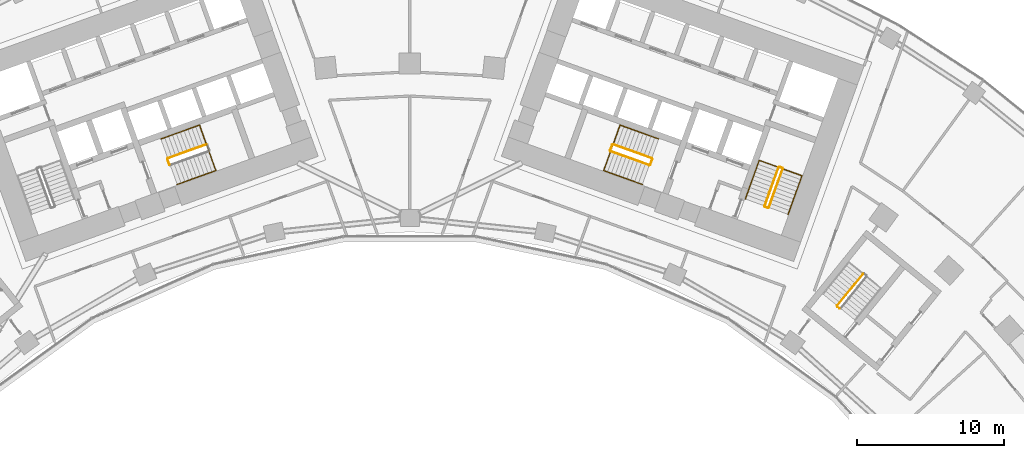
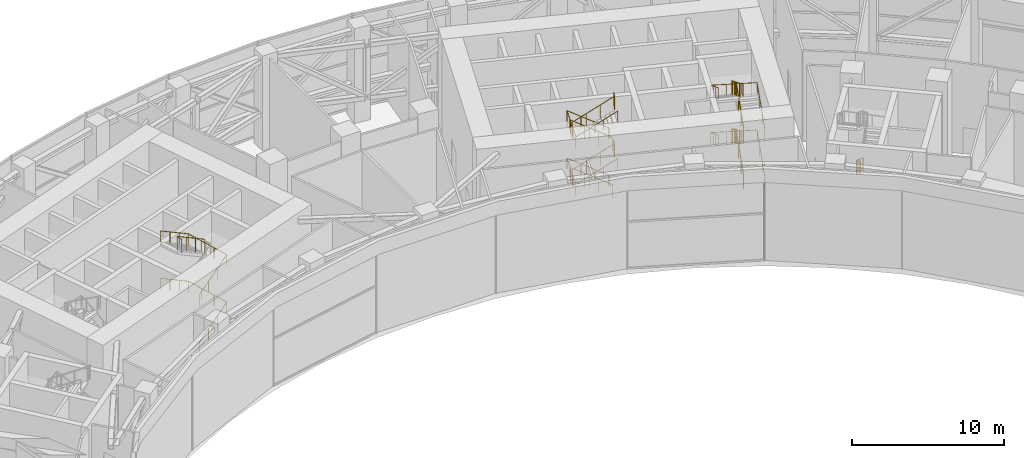
# One storey, part 29 of 30: 16 railings.
"""IFC4 building model written with IfcOpenShell, lengths in metres."""

from ifc_helpers import new_model, si_unit, direction, frame, origin, origin_2d, place, context, subcontext, project, spatial, circle, extrude, material, type_object, element, save


model = new_model("IFC4")

# Units and contexts
model_context = context("Model", 3, precision=1e-05, world=origin(), true_north=direction((0.0, 1.0)))
body_context = subcontext(model_context, "Body", "Model", "MODEL_VIEW")
ifc_project = project(units=[si_unit("LENGTHUNIT", "METRE"), si_unit("AREAUNIT", "SQUARE_METRE"), si_unit("VOLUMEUNIT", "CUBIC_METRE"), si_unit("PLANEANGLEUNIT", "RADIAN"), si_unit("MASSUNIT", "GRAM", prefix="KILO")], contexts=[model_context])

# Site, building, storey
site_placement = place(None, origin())
site = spatial("IfcSite", under=ifc_project, at=site_placement, CompositionType="ELEMENT")
building_placement = place(site_placement, origin())
building = spatial("IfcBuilding", under=site, at=building_placement, Name="Stone Belt Terrace Tower", CompositionType="ELEMENT")
storey_placement = place(building_placement, frame((0.0, 0.0, 136.39990234375)))
storey = spatial("IfcBuildingStorey", under=building, at=storey_placement, Name="L33", CompositionType="ELEMENT", Elevation=136.39990234375)

# Railings
ifc_material = material(Name="Structural steel C345", Category="steel")
railing_type_1 = type_object("IfcRailingType", Name="Stair guard 1100", PredefinedType="GUARDRAIL", material=ifc_material)
railing_1_placement = place(storey_placement, frame((-13.873046875, 49.47509765625, 5.872802734375)))
element("IfcRailing", 1, at=railing_1_placement, inside=storey, type_object=railing_type_1, Name="L33 ST2A stair guard 4", PredefinedType="GUARDRAIL", context=body_context, shape_type="SweptSolid", body=[
    extrude(circle(Radius=0.02392578125, at=origin_2d()), frame((0.0, 0.0, 1.076171875), z_axis=(-0.800808895155, -0.288160591223, 0.52504150989), x_axis=(0.338583606334, -0.940936311087, 0.0)), (0.0, 0.0, 1.0), 3.289794921875),
    extrude(circle(Radius=0.02392578125, at=origin_2d()), frame((-2.634521484375, -0.947998046875, 2.80322265625), z_axis=(-0.427789722475, -0.903878284585, 0.0), x_axis=(0.903878284585, -0.427789722475, 0.0)), (0.0, 0.0, 1.0), 0.07080078125),
    extrude(circle(Radius=0.02392578125, at=origin_2d()), frame((-2.664794921875, -1.011962890625, 2.80322265625), z_axis=(0.338654645739, -0.940910745459, 0.0), x_axis=(0.940910745459, 0.338654645739, 0.0)), (0.0, 0.0, 1.0), 0.400146484375),
    extrude(circle(Radius=0.02099609375, at=origin_2d()), origin(), (0.0, 0.0, 1.0), 1.052001953125),
    extrude(circle(Radius=0.02099609375, at=origin_2d()), frame((-0.878173828125, -0.31591796875, 0.57568359375)), (0.0, 0.0, 1.0), 1.052001953125),
    extrude(circle(Radius=0.02099609375, at=origin_2d()), frame((-1.75634765625, -0.632080078125, 1.151611328125)), (0.0, 0.0, 1.0), 1.052001953125),
    extrude(circle(Radius=0.02099609375, at=origin_2d()), frame((-2.634521484375, -0.947998046875, 1.727294921875)), (0.0, 0.0, 1.0), 1.052001953125),
    extrude(circle(Radius=0.02099609375, at=origin_2d()), frame((-2.664794921875, -1.011962890625, 1.727294921875)), (0.0, 0.0, 1.0), 1.052001953125),
    extrude(circle(Radius=0.02099609375, at=origin_2d()), frame((-2.529296875, -1.388427734375, 1.727294921875)), (0.0, 0.0, 1.0), 1.052001953125),
])
railing_2_placement = place(storey_placement, frame((24.494140625, 45.174560546875, 0.1728515625)))
element("IfcRailing", 2, at=railing_2_placement, inside=storey, type_object=railing_type_1, Name="L33 ST1B stair guard 1", PredefinedType="GUARDRAIL", context=body_context, shape_type="SweptSolid", body=[
    extrude(circle(Radius=0.02392578125, at=origin_2d()), frame((0.0, 0.0, 1.076171875), z_axis=(0.288228637646, 0.800791768495, 0.525030280985), x_axis=(-0.940908529223, 0.338660803216, 0.0)), (0.0, 0.0, 1.0), 3.289794921875),
    extrude(circle(Radius=0.02392578125, at=origin_2d()), frame((0.9482421875, 2.634521484375, 2.80322265625), z_axis=(-0.424964916, 0.905209821074, 0.0), x_axis=(-0.905209821074, -0.424964916, 0.0)), (0.0, 0.0, 1.0), 0.070556640625),
    extrude(circle(Radius=0.02392578125, at=origin_2d()), frame((0.918212890625, 2.698486328125, 2.80322265625), z_axis=(-0.941105063269, 0.338114270461, 0.0), x_axis=(-0.338114270461, -0.941105063269, 0.0)), (0.0, 0.0, 1.0), 0.199951171875),
    extrude(circle(Radius=0.02099609375, at=origin_2d()), origin(), (0.0, 0.0, 1.0), 1.052001953125),
    extrude(circle(Radius=0.02099609375, at=origin_2d()), frame((0.316162109375, 0.878173828125, 0.57568359375)), (0.0, 0.0, 1.0), 1.052001953125),
    extrude(circle(Radius=0.02099609375, at=origin_2d()), frame((0.632080078125, 1.75634765625, 1.151611328125)), (0.0, 0.0, 1.0), 1.052001953125),
    extrude(circle(Radius=0.02099609375, at=origin_2d()), frame((0.9482421875, 2.634521484375, 1.727294921875)), (0.0, 0.0, 1.0), 1.052001953125),
    extrude(circle(Radius=0.02099609375, at=origin_2d()), frame((0.918212890625, 2.698486328125, 1.727294921875)), (0.0, 0.0, 1.0), 1.052001953125),
    extrude(circle(Radius=0.02099609375, at=origin_2d()), frame((0.72998046875, 2.76611328125, 1.727294921875)), (0.0, 0.0, 1.0), 1.052001953125),
])
railing_3_placement = place(storey_placement, frame((25.16015625, 47.91064453125, 2.07275390625)))
element("IfcRailing", 3, at=railing_3_placement, inside=storey, type_object=railing_type_1, Name="L33 ST1B stair guard 2", PredefinedType="GUARDRAIL", context=body_context, shape_type="SweptSolid", body=[
    extrude(circle(Radius=0.02392578125, at=origin_2d()), frame((0.0, 0.0, 1.076171875), z_axis=(-0.288228637646, -0.800791768495, 0.525030280985), x_axis=(0.940908529223, -0.338660803216, 0.0)), (0.0, 0.0, 1.0), 3.289794921875),
    extrude(circle(Radius=0.02392578125, at=origin_2d()), frame((-0.9482421875, -2.634521484375, 2.80322265625), z_axis=(0.427789722475, -0.903878284585, 0.0), x_axis=(0.903878284585, 0.427789722475, 0.0)), (0.0, 0.0, 1.0), 0.07080078125),
    extrude(circle(Radius=0.02392578125, at=origin_2d()), frame((-0.91796875, -2.698486328125, 2.80322265625), z_axis=(0.940575576748, -0.339584429008, 0.0), x_axis=(0.339584429008, 0.940575576748, 0.0)), (0.0, 0.0, 1.0), 0.199951171875),
    extrude(circle(Radius=0.02099609375, at=origin_2d()), origin(), (0.0, 0.0, 1.0), 1.052001953125),
    extrude(circle(Radius=0.02099609375, at=origin_2d()), frame((-0.316162109375, -0.878173828125, 0.57568359375)), (0.0, 0.0, 1.0), 1.052001953125),
    extrude(circle(Radius=0.02099609375, at=origin_2d()), frame((-0.632080078125, -1.75634765625, 1.151611328125)), (0.0, 0.0, 1.0), 1.052001953125),
    extrude(circle(Radius=0.02099609375, at=origin_2d()), frame((-0.9482421875, -2.634521484375, 1.727294921875)), (0.0, 0.0, 1.0), 1.052001953125),
    extrude(circle(Radius=0.02099609375, at=origin_2d()), frame((-0.91796875, -2.698486328125, 1.727294921875)), (0.0, 0.0, 1.0), 1.052001953125),
    extrude(circle(Radius=0.02099609375, at=origin_2d()), frame((-0.72998046875, -2.766357421875, 1.727294921875)), (0.0, 0.0, 1.0), 1.052001953125),
])
railing_4_placement = place(storey_placement, frame((24.494140625, 45.174560546875, 3.972900390625)))
element("IfcRailing", 4, at=railing_4_placement, inside=storey, type_object=railing_type_1, Name="L33 ST1B stair guard 3", PredefinedType="GUARDRAIL", context=body_context, shape_type="SweptSolid", body=[
    extrude(circle(Radius=0.02392578125, at=origin_2d()), frame((0.0, 0.0, 1.076171875), z_axis=(0.288228637646, 0.800791768495, 0.525030280985), x_axis=(-0.940908529223, 0.338660803216, 0.0)), (0.0, 0.0, 1.0), 3.289794921875),
    extrude(circle(Radius=0.02392578125, at=origin_2d()), frame((0.9482421875, 2.634521484375, 2.80322265625), z_axis=(-0.424964916, 0.905209821074, 0.0), x_axis=(-0.905209821074, -0.424964916, 0.0)), (0.0, 0.0, 1.0), 0.070556640625),
    extrude(circle(Radius=0.02392578125, at=origin_2d()), frame((0.918212890625, 2.698486328125, 2.80322265625), z_axis=(-0.941105063269, 0.338114270461, 0.0), x_axis=(-0.338114270461, -0.941105063269, 0.0)), (0.0, 0.0, 1.0), 0.199951171875),
    extrude(circle(Radius=0.02099609375, at=origin_2d()), origin(), (0.0, 0.0, 1.0), 1.052001953125),
    extrude(circle(Radius=0.02099609375, at=origin_2d()), frame((0.316162109375, 0.878173828125, 0.57568359375)), (0.0, 0.0, 1.0), 1.052001953125),
    extrude(circle(Radius=0.02099609375, at=origin_2d()), frame((0.632080078125, 1.75634765625, 1.151611328125)), (0.0, 0.0, 1.0), 1.052001953125),
    extrude(circle(Radius=0.02099609375, at=origin_2d()), frame((0.9482421875, 2.634521484375, 1.727294921875)), (0.0, 0.0, 1.0), 1.052001953125),
    extrude(circle(Radius=0.02099609375, at=origin_2d()), frame((0.918212890625, 2.698486328125, 1.727294921875)), (0.0, 0.0, 1.0), 1.052001953125),
    extrude(circle(Radius=0.02099609375, at=origin_2d()), frame((0.72998046875, 2.76611328125, 1.727294921875)), (0.0, 0.0, 1.0), 1.052001953125),
])
railing_5_placement = place(storey_placement, frame((25.16015625, 47.91064453125, 5.872802734375)))
element("IfcRailing", 5, at=railing_5_placement, inside=storey, type_object=railing_type_1, Name="L33 ST1B stair guard 4", PredefinedType="GUARDRAIL", context=body_context, shape_type="SweptSolid", body=[
    extrude(circle(Radius=0.02392578125, at=origin_2d()), frame((0.0, 0.0, 1.076171875), z_axis=(-0.288228637646, -0.800791768495, 0.525030280985), x_axis=(0.940908529223, -0.338660803216, 0.0)), (0.0, 0.0, 1.0), 3.289794921875),
    extrude(circle(Radius=0.02392578125, at=origin_2d()), frame((-0.9482421875, -2.634521484375, 2.80322265625), z_axis=(0.427789722475, -0.903878284585, 0.0), x_axis=(0.903878284585, 0.427789722475, 0.0)), (0.0, 0.0, 1.0), 0.07080078125),
    extrude(circle(Radius=0.02392578125, at=origin_2d()), frame((-0.91796875, -2.698486328125, 2.80322265625), z_axis=(0.940575576748, -0.339584429008, 0.0), x_axis=(0.339584429008, 0.940575576748, 0.0)), (0.0, 0.0, 1.0), 0.199951171875),
    extrude(circle(Radius=0.02099609375, at=origin_2d()), origin(), (0.0, 0.0, 1.0), 1.052001953125),
    extrude(circle(Radius=0.02099609375, at=origin_2d()), frame((-0.316162109375, -0.878173828125, 0.57568359375)), (0.0, 0.0, 1.0), 1.052001953125),
    extrude(circle(Radius=0.02099609375, at=origin_2d()), frame((-0.632080078125, -1.75634765625, 1.151611328125)), (0.0, 0.0, 1.0), 1.052001953125),
    extrude(circle(Radius=0.02099609375, at=origin_2d()), frame((-0.9482421875, -2.634521484375, 1.727294921875)), (0.0, 0.0, 1.0), 1.052001953125),
    extrude(circle(Radius=0.02099609375, at=origin_2d()), frame((-0.91796875, -2.698486328125, 1.727294921875)), (0.0, 0.0, 1.0), 1.052001953125),
    extrude(circle(Radius=0.02099609375, at=origin_2d()), frame((-0.72998046875, -2.766357421875, 1.727294921875)), (0.0, 0.0, 1.0), 1.052001953125),
])
railing_6_placement = place(storey_placement, frame((16.507568359375, 48.527099609375, 0.1728515625)))
element("IfcRailing", 6, at=railing_6_placement, inside=storey, type_object=railing_type_1, Name="L33 ST2B stair guard 1", PredefinedType="GUARDRAIL", context=body_context, shape_type="SweptSolid", body=[
    extrude(circle(Radius=0.02392578125, at=origin_2d()), frame((0.0, 0.0, 1.076171875), z_axis=(-0.800808895155, 0.288160591223, 0.52504150989), x_axis=(-0.338583606334, -0.940936311087, 0.0)), (0.0, 0.0, 1.0), 3.289794921875),
    extrude(circle(Radius=0.02392578125, at=origin_2d()), frame((-2.634521484375, 0.947998046875, 2.80322265625), z_axis=(-0.905209821074, -0.424964916, 0.0), x_axis=(0.424964916, -0.905209821074, 0.0)), (0.0, 0.0, 1.0), 0.070556640625),
    extrude(circle(Radius=0.02392578125, at=origin_2d()), frame((-2.698486328125, 0.91796875, 2.80322265625), z_axis=(-0.338654645739, -0.940910745459, 0.0), x_axis=(0.940910745459, -0.338654645739, 0.0)), (0.0, 0.0, 1.0), 0.400146484375),
    extrude(circle(Radius=0.02099609375, at=origin_2d()), origin(), (0.0, 0.0, 1.0), 1.052001953125),
    extrude(circle(Radius=0.02099609375, at=origin_2d()), frame((-0.878173828125, 0.31591796875, 0.57568359375)), (0.0, 0.0, 1.0), 1.052001953125),
    extrude(circle(Radius=0.02099609375, at=origin_2d()), frame((-1.75634765625, 0.632080078125, 1.151611328125)), (0.0, 0.0, 1.0), 1.052001953125),
    extrude(circle(Radius=0.02099609375, at=origin_2d()), frame((-2.634521484375, 0.947998046875, 1.727294921875)), (0.0, 0.0, 1.0), 1.052001953125),
    extrude(circle(Radius=0.02099609375, at=origin_2d()), frame((-2.698486328125, 0.91796875, 1.727294921875)), (0.0, 0.0, 1.0), 1.052001953125),
    extrude(circle(Radius=0.02099609375, at=origin_2d()), frame((-2.833984375, 0.54150390625, 1.727294921875)), (0.0, 0.0, 1.0), 1.052001953125),
])
railing_7_placement = place(storey_placement, frame((13.703857421875, 49.004638671875, 2.07275390625)))
element("IfcRailing", 7, at=railing_7_placement, inside=storey, type_object=railing_type_1, Name="L33 ST2B stair guard 2", PredefinedType="GUARDRAIL", context=body_context, shape_type="SweptSolid", body=[
    extrude(circle(Radius=0.02392578125, at=origin_2d()), frame((0.0, 0.0, 1.076171875), z_axis=(0.800808895155, -0.288160591223, 0.52504150989), x_axis=(0.338583606334, 0.940936311087, 0.0)), (0.0, 0.0, 1.0), 3.289794921875),
    extrude(circle(Radius=0.02392578125, at=origin_2d()), frame((2.634521484375, -0.947998046875, 2.80322265625), z_axis=(0.905209821074, 0.424964916, 0.0), x_axis=(-0.424964916, 0.905209821074, 0.0)), (0.0, 0.0, 1.0), 0.070556640625),
    extrude(circle(Radius=0.02392578125, at=origin_2d()), frame((2.698486328125, -0.91796875, 2.80322265625), z_axis=(0.338654645739, 0.940910745459, 0.0), x_axis=(-0.940910745459, 0.338654645739, 0.0)), (0.0, 0.0, 1.0), 0.400146484375),
    extrude(circle(Radius=0.02099609375, at=origin_2d()), origin(), (0.0, 0.0, 1.0), 1.052001953125),
    extrude(circle(Radius=0.02099609375, at=origin_2d()), frame((0.878173828125, -0.31591796875, 0.57568359375)), (0.0, 0.0, 1.0), 1.052001953125),
    extrude(circle(Radius=0.02099609375, at=origin_2d()), frame((1.75634765625, -0.632080078125, 1.151611328125)), (0.0, 0.0, 1.0), 1.052001953125),
    extrude(circle(Radius=0.02099609375, at=origin_2d()), frame((2.634521484375, -0.947998046875, 1.727294921875)), (0.0, 0.0, 1.0), 1.052001953125),
    extrude(circle(Radius=0.02099609375, at=origin_2d()), frame((2.698486328125, -0.91796875, 1.727294921875)), (0.0, 0.0, 1.0), 1.052001953125),
    extrude(circle(Radius=0.02099609375, at=origin_2d()), frame((2.833984375, -0.54150390625, 1.727294921875)), (0.0, 0.0, 1.0), 1.052001953125),
])
railing_8_placement = place(storey_placement, frame((16.507568359375, 48.527099609375, 3.972900390625)))
element("IfcRailing", 8, at=railing_8_placement, inside=storey, type_object=railing_type_1, Name="L33 ST2B stair guard 3", PredefinedType="GUARDRAIL", context=body_context, shape_type="SweptSolid", body=[
    extrude(circle(Radius=0.02392578125, at=origin_2d()), frame((0.0, 0.0, 1.076171875), z_axis=(-0.800808895155, 0.288160591223, 0.52504150989), x_axis=(-0.338583606334, -0.940936311087, 0.0)), (0.0, 0.0, 1.0), 3.289794921875),
    extrude(circle(Radius=0.02392578125, at=origin_2d()), frame((-2.634521484375, 0.947998046875, 2.80322265625), z_axis=(-0.905209821074, -0.424964916, 0.0), x_axis=(0.424964916, -0.905209821074, 0.0)), (0.0, 0.0, 1.0), 0.070556640625),
    extrude(circle(Radius=0.02392578125, at=origin_2d()), frame((-2.698486328125, 0.91796875, 2.80322265625), z_axis=(-0.338654645739, -0.940910745459, 0.0), x_axis=(0.940910745459, -0.338654645739, 0.0)), (0.0, 0.0, 1.0), 0.400146484375),
    extrude(circle(Radius=0.02099609375, at=origin_2d()), origin(), (0.0, 0.0, 1.0), 1.052001953125),
    extrude(circle(Radius=0.02099609375, at=origin_2d()), frame((-0.878173828125, 0.31591796875, 0.57568359375)), (0.0, 0.0, 1.0), 1.052001953125),
    extrude(circle(Radius=0.02099609375, at=origin_2d()), frame((-1.75634765625, 0.632080078125, 1.151611328125)), (0.0, 0.0, 1.0), 1.052001953125),
    extrude(circle(Radius=0.02099609375, at=origin_2d()), frame((-2.634521484375, 0.947998046875, 1.727294921875)), (0.0, 0.0, 1.0), 1.052001953125),
    extrude(circle(Radius=0.02099609375, at=origin_2d()), frame((-2.698486328125, 0.91796875, 1.727294921875)), (0.0, 0.0, 1.0), 1.052001953125),
    extrude(circle(Radius=0.02099609375, at=origin_2d()), frame((-2.833984375, 0.54150390625, 1.727294921875)), (0.0, 0.0, 1.0), 1.052001953125),
])
railing_9_placement = place(storey_placement, frame((13.703857421875, 49.004638671875, 5.872802734375)))
element("IfcRailing", 9, at=railing_9_placement, inside=storey, type_object=railing_type_1, Name="L33 ST2B stair guard 4", PredefinedType="GUARDRAIL", context=body_context, shape_type="SweptSolid", body=[
    extrude(circle(Radius=0.02392578125, at=origin_2d()), frame((0.0, 0.0, 1.076171875), z_axis=(0.800808895155, -0.288160591223, 0.52504150989), x_axis=(0.338583606334, 0.940936311087, 0.0)), (0.0, 0.0, 1.0), 3.289794921875),
    extrude(circle(Radius=0.02392578125, at=origin_2d()), frame((2.634521484375, -0.947998046875, 2.80322265625), z_axis=(0.905209821074, 0.424964916, 0.0), x_axis=(-0.424964916, 0.905209821074, 0.0)), (0.0, 0.0, 1.0), 0.070556640625),
    extrude(circle(Radius=0.02392578125, at=origin_2d()), frame((2.698486328125, -0.91796875, 2.80322265625), z_axis=(0.338654645739, 0.940910745459, 0.0), x_axis=(-0.940910745459, 0.338654645739, 0.0)), (0.0, 0.0, 1.0), 0.400146484375),
    extrude(circle(Radius=0.02099609375, at=origin_2d()), origin(), (0.0, 0.0, 1.0), 1.052001953125),
    extrude(circle(Radius=0.02099609375, at=origin_2d()), frame((0.878173828125, -0.31591796875, 0.57568359375)), (0.0, 0.0, 1.0), 1.052001953125),
    extrude(circle(Radius=0.02099609375, at=origin_2d()), frame((1.75634765625, -0.632080078125, 1.151611328125)), (0.0, 0.0, 1.0), 1.052001953125),
    extrude(circle(Radius=0.02099609375, at=origin_2d()), frame((2.634521484375, -0.947998046875, 1.727294921875)), (0.0, 0.0, 1.0), 1.052001953125),
    extrude(circle(Radius=0.02099609375, at=origin_2d()), frame((2.698486328125, -0.91796875, 1.727294921875)), (0.0, 0.0, 1.0), 1.052001953125),
    extrude(circle(Radius=0.02099609375, at=origin_2d()), frame((2.833984375, -0.54150390625, 1.727294921875)), (0.0, 0.0, 1.0), 1.052001953125),
])
railing_10_placement = place(storey_placement, frame((30.9296875, 40.64501953125, 2.07275390625)))
element("IfcRailing", 10, at=railing_10_placement, inside=storey, type_object=railing_type_1, Name="L33 ST3B stair guard 2", PredefinedType="GUARDRAIL", context=body_context, shape_type="SweptSolid", body=[
    extrude(circle(Radius=0.02392578125, at=origin_2d()), frame((0.0, 0.0, 1.076171875), z_axis=(-0.536366759382, -0.660811565066, 0.525013118792), x_axis=(0.776425942316, -0.630208502084, 0.0)), (0.0, 0.0, 1.0), 3.2900390625),
    extrude(circle(Radius=0.02392578125, at=origin_2d()), frame((-1.7646484375, -2.174072265625, 2.80322265625), z_axis=(0.103606084259, -0.994618408891, 0.0), x_axis=(0.994618408891, 0.103606084259, 0.0)), (0.0, 0.0, 1.0), 0.07080078125),
    extrude(circle(Radius=0.02392578125, at=origin_2d()), frame((-1.75732421875, -2.244384765625, 2.80322265625), z_axis=(0.776561986372, -0.630040856868, 0.0), x_axis=(0.630040856868, 0.776561986372, 0.0)), (0.0, 0.0, 1.0), 0.199951171875),
    extrude(circle(Radius=0.02099609375, at=origin_2d()), origin(), (0.0, 0.0, 1.0), 1.052001953125),
    extrude(circle(Radius=0.02099609375, at=origin_2d()), frame((-0.588134765625, -0.724609375, 0.57568359375)), (0.0, 0.0, 1.0), 1.052001953125),
    extrude(circle(Radius=0.02099609375, at=origin_2d()), frame((-1.176513671875, -1.449462890625, 1.151611328125)), (0.0, 0.0, 1.0), 1.052001953125),
    extrude(circle(Radius=0.02099609375, at=origin_2d()), frame((-1.7646484375, -2.174072265625, 1.727294921875)), (0.0, 0.0, 1.0), 1.052001953125),
    extrude(circle(Radius=0.02099609375, at=origin_2d()), frame((-1.75732421875, -2.244384765625, 1.727294921875)), (0.0, 0.0, 1.0), 1.052001953125),
    extrude(circle(Radius=0.02099609375, at=origin_2d()), frame((-1.60205078125, -2.370361328125, 1.727294921875)), (0.0, 0.0, 1.0), 1.052001953125),
])
railing_type_2 = type_object("IfcRailingType", Name="Stair handrail 900", PredefinedType="HANDRAIL", material=ifc_material)
railing_11_placement = place(storey_placement, frame((-15.8642578125, 46.7392578125, 0.1728515625)))
element("IfcRailing", 11, at=railing_11_placement, inside=storey, type_object=railing_type_2, Name="L33 ST2A stair handrail 1", PredefinedType="HANDRAIL", context=body_context, shape_type="SweptSolid", body=[
    extrude(circle(Radius=0.02392578125, at=origin_2d()), frame((0.0, 0.0, 0.8759765625), z_axis=(0.800791768495, 0.288228637646, 0.525030280985), x_axis=(-0.338660803216, 0.940908529223, 0.0)), (0.0, 0.0, 1.0), 3.289794921875),
    extrude(circle(Radius=0.02392578125, at=origin_2d()), frame((2.634521484375, 0.9482421875, 2.60302734375), z_axis=(-0.338160254016, 0.939637778147, 0.052234935458), x_axis=(-0.940922302781, -0.338622533404, 0.0)), (0.0, 0.0, 1.0), 3.304443359375),
    extrude(circle(Radius=0.02392578125, at=origin_2d()), frame((1.51708984375, 4.05322265625, 2.77587890625), z_axis=(-0.800791768495, -0.288228637646, 0.525030280985), x_axis=(0.338660803216, -0.940908529223, 0.0)), (0.0, 0.0, 1.0), 3.289794921875),
    extrude(circle(Radius=0.02099609375, at=origin_2d()), origin(), (0.0, 0.0, 1.0), 0.851806640625),
    extrude(circle(Radius=0.02099609375, at=origin_2d()), frame((0.878173828125, 0.316162109375, 0.57568359375)), (0.0, 0.0, 1.0), 0.851806640625),
    extrude(circle(Radius=0.02099609375, at=origin_2d()), frame((1.75634765625, 0.632080078125, 1.151611328125)), (0.0, 0.0, 1.0), 0.851806640625),
    extrude(circle(Radius=0.02099609375, at=origin_2d()), frame((2.634521484375, 0.9482421875, 1.727294921875)), (0.0, 0.0, 1.0), 0.851806640625),
    extrude(circle(Radius=0.02099609375, at=origin_2d()), frame((2.261962890625, 1.983154296875, 1.784912109375)), (0.0, 0.0, 1.0), 0.851806640625),
    extrude(circle(Radius=0.02099609375, at=origin_2d()), frame((1.8896484375, 3.018310546875, 1.84228515625)), (0.0, 0.0, 1.0), 0.851806640625),
    extrude(circle(Radius=0.02099609375, at=origin_2d()), frame((1.51708984375, 4.05322265625, 1.89990234375)), (0.0, 0.0, 1.0), 0.851806640625),
    extrude(circle(Radius=0.02099609375, at=origin_2d()), frame((0.638916015625, 3.737060546875, 2.4755859375)), (0.0, 0.0, 1.0), 0.851806640625),
    extrude(circle(Radius=0.02099609375, at=origin_2d()), frame((-0.2392578125, 3.421142578125, 3.051513671875)), (0.0, 0.0, 1.0), 0.851806640625),
    extrude(circle(Radius=0.02099609375, at=origin_2d()), frame((-1.117431640625, 3.10498046875, 3.627197265625)), (0.0, 0.0, 1.0), 0.851806640625),
])
railing_12_placement = place(storey_placement, frame((-15.8642578125, 46.7392578125, 3.972900390625)))
element("IfcRailing", 12, at=railing_12_placement, inside=storey, type_object=railing_type_2, Name="L33 ST2A stair handrail 2", PredefinedType="HANDRAIL", context=body_context, shape_type="SweptSolid", body=[
    extrude(circle(Radius=0.02392578125, at=origin_2d()), frame((0.0, 0.0, 0.8759765625), z_axis=(0.800791768495, 0.288228637646, 0.525030280985), x_axis=(-0.338660803216, 0.940908529223, 0.0)), (0.0, 0.0, 1.0), 3.289794921875),
    extrude(circle(Radius=0.02392578125, at=origin_2d()), frame((2.634521484375, 0.9482421875, 2.60302734375), z_axis=(-0.338160254016, 0.939637778147, 0.052234935458), x_axis=(-0.940922302781, -0.338622533404, 0.0)), (0.0, 0.0, 1.0), 3.304443359375),
    extrude(circle(Radius=0.02392578125, at=origin_2d()), frame((1.51708984375, 4.05322265625, 2.77587890625), z_axis=(-0.800791768495, -0.288228637646, 0.525030280985), x_axis=(0.338660803216, -0.940908529223, 0.0)), (0.0, 0.0, 1.0), 3.289794921875),
    extrude(circle(Radius=0.02099609375, at=origin_2d()), origin(), (0.0, 0.0, 1.0), 0.851806640625),
    extrude(circle(Radius=0.02099609375, at=origin_2d()), frame((0.878173828125, 0.316162109375, 0.57568359375)), (0.0, 0.0, 1.0), 0.851806640625),
    extrude(circle(Radius=0.02099609375, at=origin_2d()), frame((1.75634765625, 0.632080078125, 1.151611328125)), (0.0, 0.0, 1.0), 0.851806640625),
    extrude(circle(Radius=0.02099609375, at=origin_2d()), frame((2.634521484375, 0.9482421875, 1.727294921875)), (0.0, 0.0, 1.0), 0.851806640625),
    extrude(circle(Radius=0.02099609375, at=origin_2d()), frame((2.261962890625, 1.983154296875, 1.784912109375)), (0.0, 0.0, 1.0), 0.851806640625),
    extrude(circle(Radius=0.02099609375, at=origin_2d()), frame((1.8896484375, 3.018310546875, 1.84228515625)), (0.0, 0.0, 1.0), 0.851806640625),
    extrude(circle(Radius=0.02099609375, at=origin_2d()), frame((1.51708984375, 4.05322265625, 1.89990234375)), (0.0, 0.0, 1.0), 0.851806640625),
    extrude(circle(Radius=0.02099609375, at=origin_2d()), frame((0.638916015625, 3.737060546875, 2.4755859375)), (0.0, 0.0, 1.0), 0.851806640625),
    extrude(circle(Radius=0.02099609375, at=origin_2d()), frame((-0.2392578125, 3.421142578125, 3.051513671875)), (0.0, 0.0, 1.0), 0.851806640625),
    extrude(circle(Radius=0.02099609375, at=origin_2d()), frame((-1.117431640625, 3.10498046875, 3.627197265625)), (0.0, 0.0, 1.0), 0.851806640625),
])
railing_13_placement = place(storey_placement, frame((25.8115234375, 44.700439453125, 0.1728515625)))
element("IfcRailing", 13, at=railing_13_placement, inside=storey, type_object=railing_type_2, Name="L33 ST1B stair handrail 1", PredefinedType="HANDRAIL", context=body_context, shape_type="SweptSolid", body=[
    extrude(circle(Radius=0.02392578125, at=origin_2d()), frame((0.0, 0.0, 0.8759765625), z_axis=(0.288228637646, 0.800791768495, 0.525030280985), x_axis=(-0.940908529223, 0.338660803216, 0.0)), (0.0, 0.0, 1.0), 3.289794921875),
    extrude(circle(Radius=0.02392578125, at=origin_2d()), frame((0.9482421875, 2.634521484375, 2.60302734375), z_axis=(-0.939464517435, 0.338106580597, 0.055591012205), x_axis=(-0.338630230244, -0.940919532779, 0.0)), (0.0, 0.0, 1.0), 3.10498046875),
    extrude(circle(Radius=0.02392578125, at=origin_2d()), frame((-1.96875, 3.684326171875, 2.77587890625), z_axis=(-0.288160591223, -0.800808895155, 0.52504150989), x_axis=(0.940936311087, -0.338583606334, 0.0)), (0.0, 0.0, 1.0), 3.289794921875),
    extrude(circle(Radius=0.02099609375, at=origin_2d()), origin(), (0.0, 0.0, 1.0), 0.851806640625),
    extrude(circle(Radius=0.02099609375, at=origin_2d()), frame((0.316162109375, 0.878173828125, 0.57568359375)), (0.0, 0.0, 1.0), 0.851806640625),
    extrude(circle(Radius=0.02099609375, at=origin_2d()), frame((0.632080078125, 1.75634765625, 1.151611328125)), (0.0, 0.0, 1.0), 0.851806640625),
    extrude(circle(Radius=0.02099609375, at=origin_2d()), frame((0.9482421875, 2.634521484375, 1.727294921875)), (0.0, 0.0, 1.0), 0.851806640625),
    extrude(circle(Radius=0.02099609375, at=origin_2d()), frame((-0.024169921875, 2.984375, 1.784912109375)), (0.0, 0.0, 1.0), 0.851806640625),
    extrude(circle(Radius=0.02099609375, at=origin_2d()), frame((-0.996337890625, 3.33447265625, 1.84228515625)), (0.0, 0.0, 1.0), 0.851806640625),
    extrude(circle(Radius=0.02099609375, at=origin_2d()), frame((-1.96875, 3.684326171875, 1.89990234375)), (0.0, 0.0, 1.0), 0.851806640625),
    extrude(circle(Radius=0.02099609375, at=origin_2d()), frame((-2.28466796875, 2.80615234375, 2.4755859375)), (0.0, 0.0, 1.0), 0.851806640625),
    extrude(circle(Radius=0.02099609375, at=origin_2d()), frame((-2.600830078125, 1.927978515625, 3.051513671875)), (0.0, 0.0, 1.0), 0.851806640625),
    extrude(circle(Radius=0.02099609375, at=origin_2d()), frame((-2.916748046875, 1.0498046875, 3.627197265625)), (0.0, 0.0, 1.0), 0.851806640625),
])
railing_14_placement = place(storey_placement, frame((25.8115234375, 44.700439453125, 3.972900390625)))
element("IfcRailing", 14, at=railing_14_placement, inside=storey, type_object=railing_type_2, Name="L33 ST1B stair handrail 2", PredefinedType="HANDRAIL", context=body_context, shape_type="SweptSolid", body=[
    extrude(circle(Radius=0.02392578125, at=origin_2d()), frame((0.0, 0.0, 0.8759765625), z_axis=(0.288228637646, 0.800791768495, 0.525030280985), x_axis=(-0.940908529223, 0.338660803216, 0.0)), (0.0, 0.0, 1.0), 3.289794921875),
    extrude(circle(Radius=0.02392578125, at=origin_2d()), frame((0.9482421875, 2.634521484375, 2.60302734375), z_axis=(-0.939464517435, 0.338106580597, 0.055591012205), x_axis=(-0.338630230244, -0.940919532779, 0.0)), (0.0, 0.0, 1.0), 3.10498046875),
    extrude(circle(Radius=0.02392578125, at=origin_2d()), frame((-1.96875, 3.684326171875, 2.77587890625), z_axis=(-0.288160591223, -0.800808895155, 0.52504150989), x_axis=(0.940936311087, -0.338583606334, 0.0)), (0.0, 0.0, 1.0), 3.289794921875),
    extrude(circle(Radius=0.02099609375, at=origin_2d()), origin(), (0.0, 0.0, 1.0), 0.851806640625),
    extrude(circle(Radius=0.02099609375, at=origin_2d()), frame((0.316162109375, 0.878173828125, 0.57568359375)), (0.0, 0.0, 1.0), 0.851806640625),
    extrude(circle(Radius=0.02099609375, at=origin_2d()), frame((0.632080078125, 1.75634765625, 1.151611328125)), (0.0, 0.0, 1.0), 0.851806640625),
    extrude(circle(Radius=0.02099609375, at=origin_2d()), frame((0.9482421875, 2.634521484375, 1.727294921875)), (0.0, 0.0, 1.0), 0.851806640625),
    extrude(circle(Radius=0.02099609375, at=origin_2d()), frame((-0.024169921875, 2.984375, 1.784912109375)), (0.0, 0.0, 1.0), 0.851806640625),
    extrude(circle(Radius=0.02099609375, at=origin_2d()), frame((-0.996337890625, 3.33447265625, 1.84228515625)), (0.0, 0.0, 1.0), 0.851806640625),
    extrude(circle(Radius=0.02099609375, at=origin_2d()), frame((-1.96875, 3.684326171875, 1.89990234375)), (0.0, 0.0, 1.0), 0.851806640625),
    extrude(circle(Radius=0.02099609375, at=origin_2d()), frame((-2.28466796875, 2.80615234375, 2.4755859375)), (0.0, 0.0, 1.0), 0.851806640625),
    extrude(circle(Radius=0.02099609375, at=origin_2d()), frame((-2.600830078125, 1.927978515625, 3.051513671875)), (0.0, 0.0, 1.0), 0.851806640625),
    extrude(circle(Radius=0.02099609375, at=origin_2d()), frame((-2.916748046875, 1.0498046875, 3.627197265625)), (0.0, 0.0, 1.0), 0.851806640625),
])
railing_15_placement = place(storey_placement, frame((16.981689453125, 49.84423828125, 0.1728515625)))
element("IfcRailing", 15, at=railing_15_placement, inside=storey, type_object=railing_type_2, Name="L33 ST2B stair handrail 1", PredefinedType="HANDRAIL", context=body_context, shape_type="SweptSolid", body=[
    extrude(circle(Radius=0.02392578125, at=origin_2d()), frame((0.0, 0.0, 0.8759765625), z_axis=(-0.800791768495, 0.288228637646, 0.525030280985), x_axis=(-0.338660803216, -0.940908529223, 0.0)), (0.0, 0.0, 1.0), 3.289794921875),
    extrude(circle(Radius=0.02392578125, at=origin_2d()), frame((-2.634521484375, 0.9482421875, 2.60302734375), z_axis=(-0.338160254016, -0.939637778147, 0.052234935458), x_axis=(0.940922302781, -0.338622533404, 0.0)), (0.0, 0.0, 1.0), 3.304443359375),
    extrude(circle(Radius=0.02392578125, at=origin_2d()), frame((-3.751953125, -2.15673828125, 2.77587890625), z_axis=(0.800791768495, -0.288228637646, 0.525030280985), x_axis=(0.338660803216, 0.940908529223, 0.0)), (0.0, 0.0, 1.0), 3.289794921875),
    extrude(circle(Radius=0.02099609375, at=origin_2d()), origin(), (0.0, 0.0, 1.0), 0.851806640625),
    extrude(circle(Radius=0.02099609375, at=origin_2d()), frame((-0.878173828125, 0.316162109375, 0.57568359375)), (0.0, 0.0, 1.0), 0.851806640625),
    extrude(circle(Radius=0.02099609375, at=origin_2d()), frame((-1.75634765625, 0.632080078125, 1.151611328125)), (0.0, 0.0, 1.0), 0.851806640625),
    extrude(circle(Radius=0.02099609375, at=origin_2d()), frame((-2.634521484375, 0.9482421875, 1.727294921875)), (0.0, 0.0, 1.0), 0.851806640625),
    extrude(circle(Radius=0.02099609375, at=origin_2d()), frame((-3.007080078125, -0.086669921875, 1.784912109375)), (0.0, 0.0, 1.0), 0.851806640625),
    extrude(circle(Radius=0.02099609375, at=origin_2d()), frame((-3.37939453125, -1.121826171875, 1.84228515625)), (0.0, 0.0, 1.0), 0.851806640625),
    extrude(circle(Radius=0.02099609375, at=origin_2d()), frame((-3.751953125, -2.15673828125, 1.89990234375)), (0.0, 0.0, 1.0), 0.851806640625),
    extrude(circle(Radius=0.02099609375, at=origin_2d()), frame((-2.873779296875, -2.472900390625, 2.4755859375)), (0.0, 0.0, 1.0), 0.851806640625),
    extrude(circle(Radius=0.02099609375, at=origin_2d()), frame((-1.99560546875, -2.788818359375, 3.051513671875)), (0.0, 0.0, 1.0), 0.851806640625),
    extrude(circle(Radius=0.02099609375, at=origin_2d()), frame((-1.117431640625, -3.10498046875, 3.627197265625)), (0.0, 0.0, 1.0), 0.851806640625),
])
railing_16_placement = place(storey_placement, frame((16.981689453125, 49.84423828125, 3.972900390625)))
element("IfcRailing", 16, at=railing_16_placement, inside=storey, type_object=railing_type_2, Name="L33 ST2B stair handrail 2", PredefinedType="HANDRAIL", context=body_context, shape_type="SweptSolid", body=[
    extrude(circle(Radius=0.02392578125, at=origin_2d()), frame((0.0, 0.0, 0.8759765625), z_axis=(-0.800791768495, 0.288228637646, 0.525030280985), x_axis=(-0.338660803216, -0.940908529223, 0.0)), (0.0, 0.0, 1.0), 3.289794921875),
    extrude(circle(Radius=0.02392578125, at=origin_2d()), frame((-2.634521484375, 0.9482421875, 2.60302734375), z_axis=(-0.338160254016, -0.939637778147, 0.052234935458), x_axis=(0.940922302781, -0.338622533404, 0.0)), (0.0, 0.0, 1.0), 3.304443359375),
    extrude(circle(Radius=0.02392578125, at=origin_2d()), frame((-3.751953125, -2.15673828125, 2.77587890625), z_axis=(0.800791768495, -0.288228637646, 0.525030280985), x_axis=(0.338660803216, 0.940908529223, 0.0)), (0.0, 0.0, 1.0), 3.289794921875),
    extrude(circle(Radius=0.02099609375, at=origin_2d()), origin(), (0.0, 0.0, 1.0), 0.851806640625),
    extrude(circle(Radius=0.02099609375, at=origin_2d()), frame((-0.878173828125, 0.316162109375, 0.57568359375)), (0.0, 0.0, 1.0), 0.851806640625),
    extrude(circle(Radius=0.02099609375, at=origin_2d()), frame((-1.75634765625, 0.632080078125, 1.151611328125)), (0.0, 0.0, 1.0), 0.851806640625),
    extrude(circle(Radius=0.02099609375, at=origin_2d()), frame((-2.634521484375, 0.9482421875, 1.727294921875)), (0.0, 0.0, 1.0), 0.851806640625),
    extrude(circle(Radius=0.02099609375, at=origin_2d()), frame((-3.007080078125, -0.086669921875, 1.784912109375)), (0.0, 0.0, 1.0), 0.851806640625),
    extrude(circle(Radius=0.02099609375, at=origin_2d()), frame((-3.37939453125, -1.121826171875, 1.84228515625)), (0.0, 0.0, 1.0), 0.851806640625),
    extrude(circle(Radius=0.02099609375, at=origin_2d()), frame((-3.751953125, -2.15673828125, 1.89990234375)), (0.0, 0.0, 1.0), 0.851806640625),
    extrude(circle(Radius=0.02099609375, at=origin_2d()), frame((-2.873779296875, -2.472900390625, 2.4755859375)), (0.0, 0.0, 1.0), 0.851806640625),
    extrude(circle(Radius=0.02099609375, at=origin_2d()), frame((-1.99560546875, -2.788818359375, 3.051513671875)), (0.0, 0.0, 1.0), 0.851806640625),
    extrude(circle(Radius=0.02099609375, at=origin_2d()), frame((-1.117431640625, -3.10498046875, 3.627197265625)), (0.0, 0.0, 1.0), 0.851806640625),
])

save(model, "model.ifc")
